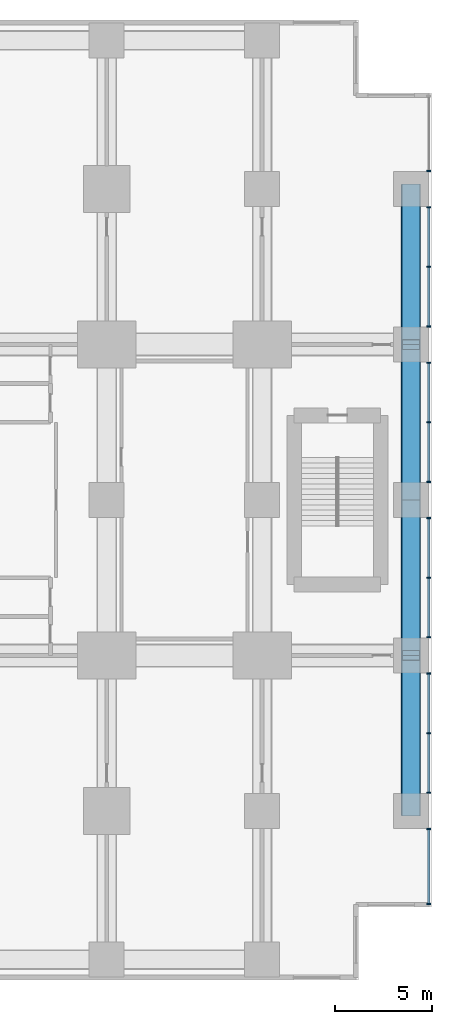
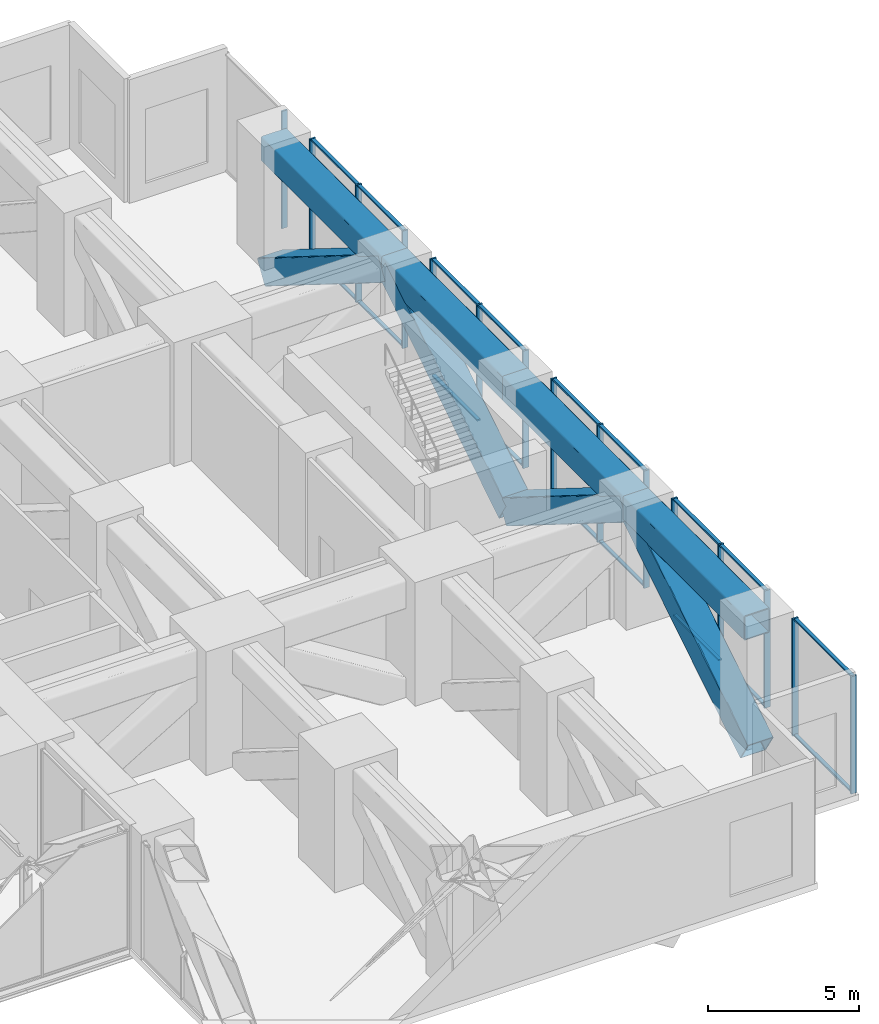
# One storey, part 11 of 19: 41 members, 6 elements without a shape of their own.
"""IFC4 building model written with IfcOpenShell, lengths in metres."""

from ifc_helpers import new_model, si_unit, direction, frame, origin, origin_2d, place, context, subcontext, project, spatial, rectangle, hollow_rectangle, extrude, material, layer, layer_set, material_profile, profile_set, type_object, element, aggregate, save


model = new_model("IFC4")

# Units and contexts
model_context = context("Model", 3, precision=1e-05, world=origin(), true_north=direction((0.0, 1.0)))
body_context = subcontext(model_context, "Body", "Model", "MODEL_VIEW")
ifc_project = project(units=[si_unit("LENGTHUNIT", "METRE"), si_unit("AREAUNIT", "SQUARE_METRE"), si_unit("VOLUMEUNIT", "CUBIC_METRE"), si_unit("PLANEANGLEUNIT", "RADIAN"), si_unit("MASSUNIT", "GRAM", prefix="KILO")], contexts=[model_context])

# Site, building, storey
site_placement = place(None, origin())
site = spatial("IfcSite", under=ifc_project, at=site_placement, CompositionType="ELEMENT")
building_placement = place(site_placement, origin())
building = spatial("IfcBuilding", under=site, at=building_placement, Name="Cleftline Residences", CompositionType="ELEMENT")
storey_placement = place(building_placement, frame((0.0, 0.0, 177.199951171875)))
storey = spatial("IfcBuildingStorey", under=building, at=storey_placement, Name="L46", CompositionType="ELEMENT", Elevation=177.199951171875)

# Members
ifc_material_1 = material(Name="Steel S355", Category="steel")
ifc_material_profile_1 = material_profile(ifc_material_1, hollow_rectangle(XDim=1.0, YDim=1.0, WallThickness=0.0400390625, InnerFilletRadius=0.0400390625, OuterFilletRadius=0.06005859375, at=origin_2d()))
ifc_profile_set_1 = profile_set([ifc_material_profile_1], Name="Steel S355")
member_type_1 = type_object("IfcMemberType", Name="BRACE BOX 1000X1000X40", PredefinedType="BRACE", material=ifc_profile_set_1)
for number, where, z_axis, x_axis, name in (
    (1, (65.64990234375, 8.0, -0.75), (0.0, 0.847998304005, 0.529998940003), (0.0, -0.529998940003, 0.847998304005), "Belt truss diagonal"),
    (2, (65.64990234375, 16.0, 4.25), (0.0, 0.847998304005, -0.529998940003), (0.0, 0.529998940003, 0.847998304005), "Belt truss diagonal"),
    (3, (65.64990234375, 24.0, -0.75), (0.0, 0.847998304005, 0.529998940003), (0.0, -0.529998940003, 0.847998304005), "Belt truss diagonal"),
    (4, (65.64990234375, 32.0, 4.25), (0.0, 0.847998304005, -0.529998940003), (0.0, 0.529998940003, 0.847998304005), "Belt truss diagonal"),
):
    element("IfcMember", number, at=place(storey_placement, frame(where, z_axis=z_axis, x_axis=x_axis)), inside=storey, type_object=member_type_1, Name=name, PredefinedType="BRACE", context=body_context, shape_type="SweptSolid", body=[
        extrude(hollow_rectangle(XDim=1.0, YDim=1.0, WallThickness=0.0400390625, InnerFilletRadius=0.0400390625, OuterFilletRadius=0.06005859375, at=origin_2d()), origin(), (0.0, 0.0, 1.0), 9.43408203125),
    ])
ifc_material_2 = material(Name="Steel S355", Category="steel")
ifc_material_profile_2 = material_profile(ifc_material_2, hollow_rectangle(XDim=1.0, YDim=1.0, WallThickness=0.0400390625, InnerFilletRadius=0.0400390625, OuterFilletRadius=0.06005859375, at=origin_2d()))
ifc_profile_set_2 = profile_set([ifc_material_profile_2], Name="Steel S355")
member_type_2 = type_object("IfcMemberType", Name="CHORD BOX 1000X1000X40", PredefinedType="CHORD", material=ifc_profile_set_2)
for number, where, z_axis, x_axis, name in (
    (5, (65.64990234375, 8.0, 4.25), (0.0, 1.0, 0.0), (-1.0, 0.0, 0.0), "Belt truss top chord"),
    (6, (65.64990234375, 16.0, 4.25), (0.0, 1.0, 0.0), (-1.0, 0.0, 0.0), "Belt truss top chord"),
    (7, (65.64990234375, 24.0, 4.25), (0.0, 1.0, 0.0), (-1.0, 0.0, 0.0), "Belt truss top chord"),
    (8, (65.64990234375, 32.0, 4.25), (0.0, 1.0, 0.0), (-1.0, 0.0, 0.0), "Belt truss top chord"),
):
    element("IfcMember", number, at=place(storey_placement, frame(where, z_axis=z_axis, x_axis=x_axis)), inside=storey, type_object=member_type_2, Name=name, PredefinedType="CHORD", context=body_context, shape_type="SweptSolid", body=[
        extrude(hollow_rectangle(XDim=1.0, YDim=1.0, WallThickness=0.0400390625, InnerFilletRadius=0.0400390625, OuterFilletRadius=0.06005859375, at=origin_2d()), origin(), (0.0, 0.0, 1.0), 8.0),
    ])

# Curtain wall, members
ifc_material_3 = material(Name="Aluminium framed curtain wall", Category="aluminium")
ifc_layer = layer(ifc_material_3, 0.199951171875)
ifc_layer_set = layer_set([ifc_layer], Name="CW4 SKY LOUNGE GLAZING")
curtain_wall_type = type_object("IfcCurtainWallType", Name="CW4 SKY LOUNGE GLAZING", PredefinedType="NOTDEFINED", material=ifc_layer_set)
curtain_wall_1_placement = place(storey_placement, origin())
curtain_wall_1 = element("IfcCurtainWall", 9, at=curtain_wall_1_placement, inside=storey, type_object=curtain_wall_type, Name="Curtain wall CW4", PredefinedType="NOTDEFINED")
ifc_material_4 = material(Name="Aluminium mullion", Category="aluminium")
ifc_material_profile_3 = material_profile(ifc_material_4, rectangle(XDim=0.219970703125, YDim=0.06494140625, at=origin_2d()))
ifc_profile_set_3 = profile_set([ifc_material_profile_3], Name="Aluminium mullion")
member_type_3 = type_object("IfcMemberType", Name="CW4 MULLION", PredefinedType="MULLION", material=ifc_profile_set_3)
member_1_placement = place(storey_placement, frame((66.574951171875, 3.20751953125, 0.0), z_axis=(0.0, 0.0, 1.0), x_axis=(-1.0, 0.0, 0.0)))
member_1 = element("IfcMember", 10, at=member_1_placement, type_object=member_type_3, Name="CW4 mullion 1", PredefinedType="MULLION", context=body_context, shape_type="SweptSolid", body=[
    extrude(rectangle(XDim=0.219970703125, YDim=0.06494140625, at=origin_2d()), origin(), (0.0, 0.0, 1.0), 4.75),
])
member_2_placement = place(storey_placement, frame((66.574951171875, 7.0673828125, 0.0), z_axis=(0.0, 0.0, 1.0), x_axis=(-1.0, 0.0, 0.0)))
member_2 = element("IfcMember", 11, at=member_2_placement, type_object=member_type_3, Name="CW4 mullion 2", PredefinedType="MULLION", context=body_context, shape_type="SweptSolid", body=[
    extrude(rectangle(XDim=0.219970703125, YDim=0.06494140625, at=origin_2d()), origin(), (0.0, 0.0, 1.0), 4.75),
])

curtain_wall_2_placement = place(storey_placement, origin())
curtain_wall_2 = element("IfcCurtainWall", 12, at=curtain_wall_2_placement, inside=storey, type_object=curtain_wall_type, Name="Curtain wall CW4", PredefinedType="NOTDEFINED")
member_3_placement = place(storey_placement, frame((66.574951171875, 8.9326171875, 0.0), z_axis=(0.0, 0.0, 1.0), x_axis=(-1.0, 0.0, 0.0)))
member_3 = element("IfcMember", 13, at=member_3_placement, type_object=member_type_3, Name="CW4 mullion 1", PredefinedType="MULLION", context=body_context, shape_type="SweptSolid", body=[
    extrude(rectangle(XDim=0.219970703125, YDim=0.06494140625, at=origin_2d()), origin(), (0.0, 0.0, 1.0), 4.75),
])
member_4_placement = place(storey_placement, frame((66.574951171875, 12.0, 0.0), z_axis=(0.0, 0.0, 1.0), x_axis=(-1.0, 0.0, 0.0)))
member_4 = element("IfcMember", 14, at=member_4_placement, type_object=member_type_3, Name="CW4 mullion 2", PredefinedType="MULLION", context=body_context, shape_type="SweptSolid", body=[
    extrude(rectangle(XDim=0.219970703125, YDim=0.06494140625, at=origin_2d()), origin(), (0.0, 0.0, 1.0), 4.75),
])
member_5_placement = place(storey_placement, frame((66.574951171875, 15.0673828125, 0.0), z_axis=(0.0, 0.0, 1.0), x_axis=(-1.0, 0.0, 0.0)))
member_5 = element("IfcMember", 15, at=member_5_placement, type_object=member_type_3, Name="CW4 mullion 3", PredefinedType="MULLION", context=body_context, shape_type="SweptSolid", body=[
    extrude(rectangle(XDim=0.219970703125, YDim=0.06494140625, at=origin_2d()), origin(), (0.0, 0.0, 1.0), 4.75),
])

curtain_wall_3_placement = place(storey_placement, origin())
curtain_wall_3 = element("IfcCurtainWall", 16, at=curtain_wall_3_placement, inside=storey, type_object=curtain_wall_type, Name="Curtain wall CW4", PredefinedType="NOTDEFINED")
member_6_placement = place(storey_placement, frame((66.574951171875, 16.9326171875, 0.0), z_axis=(0.0, 0.0, 1.0), x_axis=(-1.0, 0.0, 0.0)))
member_6 = element("IfcMember", 17, at=member_6_placement, type_object=member_type_3, Name="CW4 mullion 1", PredefinedType="MULLION", context=body_context, shape_type="SweptSolid", body=[
    extrude(rectangle(XDim=0.219970703125, YDim=0.06494140625, at=origin_2d()), origin(), (0.0, 0.0, 1.0), 4.75),
])
member_7_placement = place(storey_placement, frame((66.574951171875, 20.0, 0.0), z_axis=(0.0, 0.0, 1.0), x_axis=(-1.0, 0.0, 0.0)))
member_7 = element("IfcMember", 18, at=member_7_placement, type_object=member_type_3, Name="CW4 mullion 2", PredefinedType="MULLION", context=body_context, shape_type="SweptSolid", body=[
    extrude(rectangle(XDim=0.219970703125, YDim=0.06494140625, at=origin_2d()), origin(), (0.0, 0.0, 1.0), 4.75),
])
member_8_placement = place(storey_placement, frame((66.574951171875, 23.0673828125, 0.0), z_axis=(0.0, 0.0, 1.0), x_axis=(-1.0, 0.0, 0.0)))
member_8 = element("IfcMember", 19, at=member_8_placement, type_object=member_type_3, Name="CW4 mullion 3", PredefinedType="MULLION", context=body_context, shape_type="SweptSolid", body=[
    extrude(rectangle(XDim=0.219970703125, YDim=0.06494140625, at=origin_2d()), origin(), (0.0, 0.0, 1.0), 4.75),
])

curtain_wall_4_placement = place(storey_placement, origin())
curtain_wall_4 = element("IfcCurtainWall", 20, at=curtain_wall_4_placement, inside=storey, type_object=curtain_wall_type, Name="Curtain wall CW4", PredefinedType="NOTDEFINED")
member_9_placement = place(storey_placement, frame((66.574951171875, 24.9326171875, 0.0), z_axis=(0.0, 0.0, 1.0), x_axis=(-1.0, 0.0, 0.0)))
member_9 = element("IfcMember", 21, at=member_9_placement, type_object=member_type_3, Name="CW4 mullion 1", PredefinedType="MULLION", context=body_context, shape_type="SweptSolid", body=[
    extrude(rectangle(XDim=0.219970703125, YDim=0.06494140625, at=origin_2d()), origin(), (0.0, 0.0, 1.0), 4.75),
])
member_10_placement = place(storey_placement, frame((66.574951171875, 28.0, 0.0), z_axis=(0.0, 0.0, 1.0), x_axis=(-1.0, 0.0, 0.0)))
member_10 = element("IfcMember", 22, at=member_10_placement, type_object=member_type_3, Name="CW4 mullion 2", PredefinedType="MULLION", context=body_context, shape_type="SweptSolid", body=[
    extrude(rectangle(XDim=0.219970703125, YDim=0.06494140625, at=origin_2d()), origin(), (0.0, 0.0, 1.0), 4.75),
])
member_11_placement = place(storey_placement, frame((66.574951171875, 31.0673828125, 0.0), z_axis=(0.0, 0.0, 1.0), x_axis=(-1.0, 0.0, 0.0)))
member_11 = element("IfcMember", 23, at=member_11_placement, type_object=member_type_3, Name="CW4 mullion 3", PredefinedType="MULLION", context=body_context, shape_type="SweptSolid", body=[
    extrude(rectangle(XDim=0.219970703125, YDim=0.06494140625, at=origin_2d()), origin(), (0.0, 0.0, 1.0), 4.75),
])

curtain_wall_5_placement = place(storey_placement, origin())
curtain_wall_5 = element("IfcCurtainWall", 24, at=curtain_wall_5_placement, inside=storey, type_object=curtain_wall_type, Name="Curtain wall CW4", PredefinedType="NOTDEFINED")
member_12_placement = place(storey_placement, frame((66.574951171875, 32.9326171875, 0.0), z_axis=(0.0, 0.0, 1.0), x_axis=(-1.0, 0.0, 0.0)))
member_12 = element("IfcMember", 25, at=member_12_placement, type_object=member_type_3, Name="CW4 mullion 1", PredefinedType="MULLION", context=body_context, shape_type="SweptSolid", body=[
    extrude(rectangle(XDim=0.219970703125, YDim=0.06494140625, at=origin_2d()), origin(), (0.0, 0.0, 1.0), 4.75),
])
member_13_placement = place(storey_placement, frame((66.574951171875, 36.0, 0.0), z_axis=(0.0, 0.0, 1.0), x_axis=(-1.0, 0.0, 0.0)))
member_13 = element("IfcMember", 26, at=member_13_placement, type_object=member_type_3, Name="CW4 mullion 2", PredefinedType="MULLION", context=body_context, shape_type="SweptSolid", body=[
    extrude(rectangle(XDim=0.219970703125, YDim=0.06494140625, at=origin_2d()), origin(), (0.0, 0.0, 1.0), 4.75),
])
member_14_placement = place(storey_placement, frame((66.574951171875, 39.0673828125, 0.0), z_axis=(0.0, 0.0, 1.0), x_axis=(-1.0, 0.0, 0.0)))
member_14 = element("IfcMember", 27, at=member_14_placement, type_object=member_type_3, Name="CW4 mullion 3", PredefinedType="MULLION", context=body_context, shape_type="SweptSolid", body=[
    extrude(rectangle(XDim=0.219970703125, YDim=0.06494140625, at=origin_2d()), origin(), (0.0, 0.0, 1.0), 4.75),
])

# Curtain wall, member
curtain_wall_6_placement = place(storey_placement, origin())
curtain_wall_6 = element("IfcCurtainWall", 28, at=curtain_wall_6_placement, inside=storey, type_object=curtain_wall_type, Name="Curtain wall CW4", PredefinedType="NOTDEFINED")
member_15_placement = place(storey_placement, frame((66.574951171875, 40.9326171875, 0.0), z_axis=(0.0, 0.0, 1.0), x_axis=(-1.0, 0.0, 0.0)))
member_15 = element("IfcMember", 29, at=member_15_placement, type_object=member_type_3, Name="CW4 mullion 1", PredefinedType="MULLION", context=body_context, shape_type="SweptSolid", body=[
    extrude(rectangle(XDim=0.219970703125, YDim=0.06494140625, at=origin_2d()), origin(), (0.0, 0.0, 1.0), 4.75),
])
aggregate(curtain_wall_6, [member_15])

# Member
ifc_material_5 = material(Name="Aluminium transom", Category="aluminium")
ifc_material_profile_4 = material_profile(ifc_material_5, rectangle(XDim=0.132080078125, YDim=0.06494140625, at=origin_2d()))
ifc_profile_set_4 = profile_set([ifc_material_profile_4], Name="Aluminium transom")
member_type_4 = type_object("IfcMemberType", Name="CW4 TRANSOM", PredefinedType="USERDEFINED", material=ifc_profile_set_4)
member_16_placement = place(storey_placement, frame((66.574951171875, 3.239990234375, 0.032470703125), z_axis=(0.0, 1.0, 0.0), x_axis=(-1.0, 0.0, 0.0)))
member_16 = element("IfcMember", 30, at=member_16_placement, type_object=member_type_4, Name="CW4 transom 1.1", ObjectType="TRANSOM", PredefinedType="USERDEFINED", context=body_context, shape_type="SweptSolid", body=[
    extrude(rectangle(XDim=0.132080078125, YDim=0.06494140625, at=origin_2d()), origin(), (0.0, 0.0, 1.0), 3.794921875),
])

member_17_placement = place(storey_placement, frame((66.574951171875, 3.239990234375, 4.717529296875), z_axis=(0.0, 1.0, 0.0), x_axis=(-1.0, 0.0, 0.0)))
member_17 = element("IfcMember", 31, at=member_17_placement, type_object=member_type_4, Name="CW4 transom 1.2", ObjectType="TRANSOM", PredefinedType="USERDEFINED", context=body_context, shape_type="SweptSolid", body=[
    extrude(rectangle(XDim=0.132080078125, YDim=0.06494140625, at=origin_2d()), origin(), (0.0, 0.0, 1.0), 3.794921875),
])

aggregate(curtain_wall_1, [member_1, member_2, member_16, member_17])

member_18_placement = place(storey_placement, frame((66.574951171875, 8.965087890625, 0.032470703125), z_axis=(0.0, 1.0, 0.0), x_axis=(-1.0, 0.0, 0.0)))
member_18 = element("IfcMember", 32, at=member_18_placement, type_object=member_type_4, Name="CW4 transom 1.1", ObjectType="TRANSOM", PredefinedType="USERDEFINED", context=body_context, shape_type="SweptSolid", body=[
    extrude(rectangle(XDim=0.132080078125, YDim=0.06494140625, at=origin_2d()), origin(), (0.0, 0.0, 1.0), 3.00244140625),
])

member_19_placement = place(storey_placement, frame((66.574951171875, 8.965087890625, 4.717529296875), z_axis=(0.0, 1.0, 0.0), x_axis=(-1.0, 0.0, 0.0)))
member_19 = element("IfcMember", 33, at=member_19_placement, type_object=member_type_4, Name="CW4 transom 1.2", ObjectType="TRANSOM", PredefinedType="USERDEFINED", context=body_context, shape_type="SweptSolid", body=[
    extrude(rectangle(XDim=0.132080078125, YDim=0.06494140625, at=origin_2d()), origin(), (0.0, 0.0, 1.0), 3.00244140625),
])

member_20_placement = place(storey_placement, frame((66.574951171875, 12.032470703125, 0.032470703125), z_axis=(0.0, 1.0, 0.0), x_axis=(-1.0, 0.0, 0.0)))
member_20 = element("IfcMember", 34, at=member_20_placement, type_object=member_type_4, Name="CW4 transom 2.1", ObjectType="TRANSOM", PredefinedType="USERDEFINED", context=body_context, shape_type="SweptSolid", body=[
    extrude(rectangle(XDim=0.132080078125, YDim=0.06494140625, at=origin_2d()), origin(), (0.0, 0.0, 1.0), 3.00244140625),
])

member_21_placement = place(storey_placement, frame((66.574951171875, 12.032470703125, 4.717529296875), z_axis=(0.0, 1.0, 0.0), x_axis=(-1.0, 0.0, 0.0)))
member_21 = element("IfcMember", 35, at=member_21_placement, type_object=member_type_4, Name="CW4 transom 2.2", ObjectType="TRANSOM", PredefinedType="USERDEFINED", context=body_context, shape_type="SweptSolid", body=[
    extrude(rectangle(XDim=0.132080078125, YDim=0.06494140625, at=origin_2d()), origin(), (0.0, 0.0, 1.0), 3.00244140625),
])

aggregate(curtain_wall_2, [member_3, member_4, member_5, member_18, member_19, member_20, member_21])

member_22_placement = place(storey_placement, frame((66.574951171875, 16.965087890625, 0.032470703125), z_axis=(0.0, 1.0, 0.0), x_axis=(-1.0, 0.0, 0.0)))
member_22 = element("IfcMember", 36, at=member_22_placement, type_object=member_type_4, Name="CW4 transom 1.1", ObjectType="TRANSOM", PredefinedType="USERDEFINED", context=body_context, shape_type="SweptSolid", body=[
    extrude(rectangle(XDim=0.132080078125, YDim=0.06494140625, at=origin_2d()), origin(), (0.0, 0.0, 1.0), 3.00244140625),
])

member_23_placement = place(storey_placement, frame((66.574951171875, 16.965087890625, 4.717529296875), z_axis=(0.0, 1.0, 0.0), x_axis=(-1.0, 0.0, 0.0)))
member_23 = element("IfcMember", 37, at=member_23_placement, type_object=member_type_4, Name="CW4 transom 1.2", ObjectType="TRANSOM", PredefinedType="USERDEFINED", context=body_context, shape_type="SweptSolid", body=[
    extrude(rectangle(XDim=0.132080078125, YDim=0.06494140625, at=origin_2d()), origin(), (0.0, 0.0, 1.0), 3.00244140625),
])

member_24_placement = place(storey_placement, frame((66.574951171875, 20.032470703125, 0.032470703125), z_axis=(0.0, 1.0, 0.0), x_axis=(-1.0, 0.0, 0.0)))
member_24 = element("IfcMember", 38, at=member_24_placement, type_object=member_type_4, Name="CW4 transom 2.1", ObjectType="TRANSOM", PredefinedType="USERDEFINED", context=body_context, shape_type="SweptSolid", body=[
    extrude(rectangle(XDim=0.132080078125, YDim=0.06494140625, at=origin_2d()), origin(), (0.0, 0.0, 1.0), 3.00244140625),
])

member_25_placement = place(storey_placement, frame((66.574951171875, 20.032470703125, 4.717529296875), z_axis=(0.0, 1.0, 0.0), x_axis=(-1.0, 0.0, 0.0)))
member_25 = element("IfcMember", 39, at=member_25_placement, type_object=member_type_4, Name="CW4 transom 2.2", ObjectType="TRANSOM", PredefinedType="USERDEFINED", context=body_context, shape_type="SweptSolid", body=[
    extrude(rectangle(XDim=0.132080078125, YDim=0.06494140625, at=origin_2d()), origin(), (0.0, 0.0, 1.0), 3.00244140625),
])

aggregate(curtain_wall_3, [member_6, member_7, member_8, member_22, member_23, member_24, member_25])

member_26_placement = place(storey_placement, frame((66.574951171875, 24.965087890625, 0.032470703125), z_axis=(0.0, 1.0, 0.0), x_axis=(-1.0, 0.0, 0.0)))
member_26 = element("IfcMember", 40, at=member_26_placement, type_object=member_type_4, Name="CW4 transom 1.1", ObjectType="TRANSOM", PredefinedType="USERDEFINED", context=body_context, shape_type="SweptSolid", body=[
    extrude(rectangle(XDim=0.132080078125, YDim=0.06494140625, at=origin_2d()), origin(), (0.0, 0.0, 1.0), 3.00244140625),
])

member_27_placement = place(storey_placement, frame((66.574951171875, 24.965087890625, 4.717529296875), z_axis=(0.0, 1.0, 0.0), x_axis=(-1.0, 0.0, 0.0)))
member_27 = element("IfcMember", 41, at=member_27_placement, type_object=member_type_4, Name="CW4 transom 1.2", ObjectType="TRANSOM", PredefinedType="USERDEFINED", context=body_context, shape_type="SweptSolid", body=[
    extrude(rectangle(XDim=0.132080078125, YDim=0.06494140625, at=origin_2d()), origin(), (0.0, 0.0, 1.0), 3.00244140625),
])

member_28_placement = place(storey_placement, frame((66.574951171875, 28.032470703125, 0.032470703125), z_axis=(0.0, 1.0, 0.0), x_axis=(-1.0, 0.0, 0.0)))
member_28 = element("IfcMember", 42, at=member_28_placement, type_object=member_type_4, Name="CW4 transom 2.1", ObjectType="TRANSOM", PredefinedType="USERDEFINED", context=body_context, shape_type="SweptSolid", body=[
    extrude(rectangle(XDim=0.132080078125, YDim=0.06494140625, at=origin_2d()), origin(), (0.0, 0.0, 1.0), 3.00244140625),
])

member_29_placement = place(storey_placement, frame((66.574951171875, 28.032470703125, 4.717529296875), z_axis=(0.0, 1.0, 0.0), x_axis=(-1.0, 0.0, 0.0)))
member_29 = element("IfcMember", 43, at=member_29_placement, type_object=member_type_4, Name="CW4 transom 2.2", ObjectType="TRANSOM", PredefinedType="USERDEFINED", context=body_context, shape_type="SweptSolid", body=[
    extrude(rectangle(XDim=0.132080078125, YDim=0.06494140625, at=origin_2d()), origin(), (0.0, 0.0, 1.0), 3.00244140625),
])

aggregate(curtain_wall_4, [member_9, member_10, member_11, member_26, member_27, member_28, member_29])

member_30_placement = place(storey_placement, frame((66.574951171875, 32.965087890625, 0.032470703125), z_axis=(0.0, 1.0, 0.0), x_axis=(-1.0, 0.0, 0.0)))
member_30 = element("IfcMember", 44, at=member_30_placement, type_object=member_type_4, Name="CW4 transom 1.1", ObjectType="TRANSOM", PredefinedType="USERDEFINED", context=body_context, shape_type="SweptSolid", body=[
    extrude(rectangle(XDim=0.132080078125, YDim=0.06494140625, at=origin_2d()), origin(), (0.0, 0.0, 1.0), 3.00244140625),
])

member_31_placement = place(storey_placement, frame((66.574951171875, 32.965087890625, 4.717529296875), z_axis=(0.0, 1.0, 0.0), x_axis=(-1.0, 0.0, 0.0)))
member_31 = element("IfcMember", 45, at=member_31_placement, type_object=member_type_4, Name="CW4 transom 1.2", ObjectType="TRANSOM", PredefinedType="USERDEFINED", context=body_context, shape_type="SweptSolid", body=[
    extrude(rectangle(XDim=0.132080078125, YDim=0.06494140625, at=origin_2d()), origin(), (0.0, 0.0, 1.0), 3.00244140625),
])

member_32_placement = place(storey_placement, frame((66.574951171875, 36.032470703125, 0.032470703125), z_axis=(0.0, 1.0, 0.0), x_axis=(-1.0, 0.0, 0.0)))
member_32 = element("IfcMember", 46, at=member_32_placement, type_object=member_type_4, Name="CW4 transom 2.1", ObjectType="TRANSOM", PredefinedType="USERDEFINED", context=body_context, shape_type="SweptSolid", body=[
    extrude(rectangle(XDim=0.132080078125, YDim=0.06494140625, at=origin_2d()), origin(), (0.0, 0.0, 1.0), 3.00244140625),
])

member_33_placement = place(storey_placement, frame((66.574951171875, 36.032470703125, 4.717529296875), z_axis=(0.0, 1.0, 0.0), x_axis=(-1.0, 0.0, 0.0)))
member_33 = element("IfcMember", 47, at=member_33_placement, type_object=member_type_4, Name="CW4 transom 2.2", ObjectType="TRANSOM", PredefinedType="USERDEFINED", context=body_context, shape_type="SweptSolid", body=[
    extrude(rectangle(XDim=0.132080078125, YDim=0.06494140625, at=origin_2d()), origin(), (0.0, 0.0, 1.0), 3.00244140625),
])

aggregate(curtain_wall_5, [member_12, member_13, member_14, member_30, member_31, member_32, member_33])

save(model, "model.ifc")
